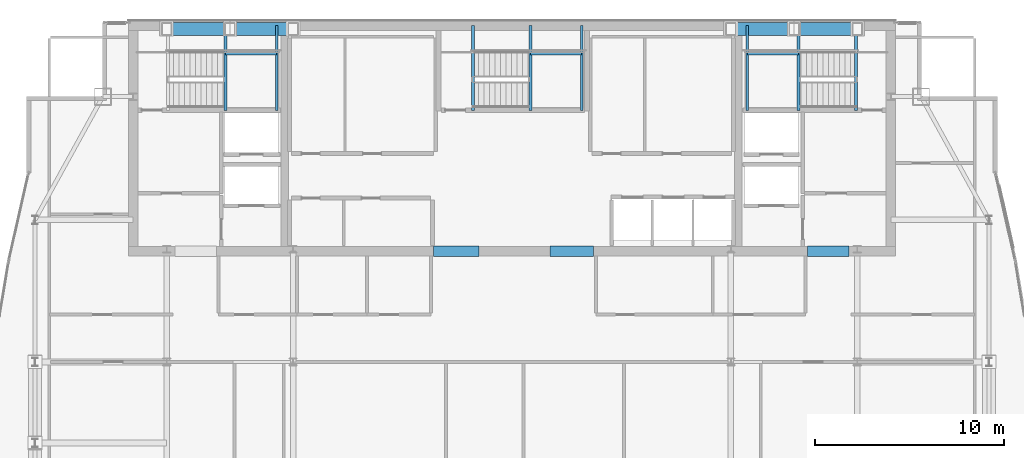
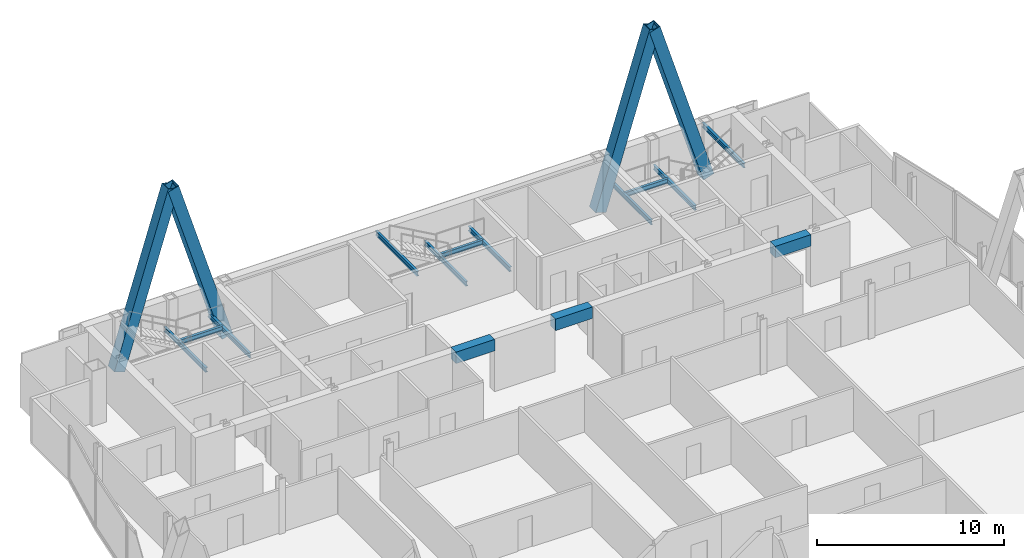
# One storey, part 23 of 31: 14 beams, 4 members.
"""IFC4 building model written with IfcOpenShell, lengths in metres."""

from ifc_helpers import new_model, si_unit, direction, frame, origin, origin_2d, place, context, subcontext, project, spatial, rectangle, hollow_rectangle, i_section, extrude, material, material_profile, profile_set, type_object, element, save


model = new_model("IFC4")

# Units and contexts
model_context = context("Model", 3, precision=1e-05, world=origin(), true_north=direction((0.0, 1.0)))
body_context = subcontext(model_context, "Body", "Model", "MODEL_VIEW")
ifc_project = project(units=[si_unit("LENGTHUNIT", "METRE"), si_unit("AREAUNIT", "SQUARE_METRE"), si_unit("VOLUMEUNIT", "CUBIC_METRE"), si_unit("PLANEANGLEUNIT", "RADIAN"), si_unit("MASSUNIT", "GRAM", prefix="KILO")], contexts=[model_context])

# Site, building, storey
site_placement = place(None, origin())
site = spatial("IfcSite", under=ifc_project, at=site_placement, CompositionType="ELEMENT")
building_placement = place(site_placement, origin())
building = spatial("IfcBuilding", under=site, at=building_placement, Name="Khoronbel Lancet Exchange", CompositionType="ELEMENT")
storey_placement = place(building_placement, frame((0.0, 0.0, 325.39990234375)))
storey = spatial("IfcBuildingStorey", under=building, at=storey_placement, Name="L84", CompositionType="ELEMENT", Elevation=325.39990234375)

# Beams
ifc_material_1 = material(Name="Steel S355", Category="steel")
ifc_material_profile_1 = material_profile(ifc_material_1, i_section(OverallWidth=0.14990234375, OverallDepth=0.300048828125, WebThickness=0.007080078125, FlangeThickness=0.0107421875, at=origin_2d()), Name="IPE 300")
ifc_profile_set_1 = profile_set([ifc_material_profile_1], Name="Steel S355")
beam_type_1 = type_object("IfcBeamType", Name="BM-BJ8", PredefinedType="JOIST", material=ifc_profile_set_1)
for number, where, z_axis, x_axis, name in (
    (1, (21.320068359375, 48.97998046875, 1.4501953125), (0.0, 1.0, 0.0), (-1.0, 0.0, 0.0), "Level L84 stair ST1 landing bearer beam 1"),
    (2, (24.030029296875, 48.97998046875, 1.4501953125), (0.0, 1.0, 0.0), (-1.0, 0.0, 0.0), "Level L84 stair ST1 rear landing bearer beam 1"),
):
    element("IfcBeam", number, at=place(storey_placement, frame(where, z_axis=z_axis, x_axis=x_axis)), inside=storey, type_object=beam_type_1, Name=name, PredefinedType="JOIST", context=body_context, shape_type="SweptSolid", body=[
        extrude(i_section(OverallWidth=0.14990234375, OverallDepth=0.300048828125, WebThickness=0.007080078125, FlangeThickness=0.0107421875, at=origin_2d()), origin(), (0.0, 0.0, 1.0), 4.469970703125),
    ])
beam_1_placement = place(storey_placement, frame((21.320068359375, 51.97998046875, 1.4501953125), z_axis=(1.0, 0.0, 0.0), x_axis=(0.0, 1.0, 0.0)))
element("IfcBeam", 3, at=beam_1_placement, inside=storey, type_object=beam_type_1, Name="Level L84 stair ST1 landing cross trimmer beam 1", PredefinedType="JOIST", context=body_context, shape_type="SweptSolid", body=[
    extrude(i_section(OverallWidth=0.14990234375, OverallDepth=0.300048828125, WebThickness=0.007080078125, FlangeThickness=0.0107421875, at=origin_2d()), origin(), (0.0, 0.0, 1.0), 2.7099609375),
])
for number, where, z_axis, x_axis, name in (
    (4, (51.580078125, 48.97998046875, 1.4501953125), (0.0, 1.0, 0.0), (-1.0, 0.0, 0.0), "Level L84 stair ST2 landing bearer beam 1"),
    (5, (48.8701171875, 48.97998046875, 1.4501953125), (0.0, 1.0, 0.0), (-1.0, 0.0, 0.0), "Level L84 stair ST2 rear landing bearer beam 1"),
):
    element("IfcBeam", number, at=place(storey_placement, frame(where, z_axis=z_axis, x_axis=x_axis)), inside=storey, type_object=beam_type_1, Name=name, PredefinedType="JOIST", context=body_context, shape_type="SweptSolid", body=[
        extrude(i_section(OverallWidth=0.14990234375, OverallDepth=0.300048828125, WebThickness=0.007080078125, FlangeThickness=0.0107421875, at=origin_2d()), origin(), (0.0, 0.0, 1.0), 4.469970703125),
    ])
beam_2_placement = place(storey_placement, frame((48.8701171875, 51.97998046875, 1.4501953125), z_axis=(1.0, 0.0, 0.0), x_axis=(0.0, 1.0, 0.0)))
element("IfcBeam", 6, at=beam_2_placement, inside=storey, type_object=beam_type_1, Name="Level L84 stair ST2 landing cross trimmer beam 1", PredefinedType="JOIST", context=body_context, shape_type="SweptSolid", body=[
    extrude(i_section(OverallWidth=0.14990234375, OverallDepth=0.300048828125, WebThickness=0.007080078125, FlangeThickness=0.0107421875, at=origin_2d()), origin(), (0.0, 0.0, 1.0), 2.7099609375),
])
for number, where, z_axis, x_axis, name in (
    (7, (54.60009765625, 48.97998046875, 3.16015625), (0.0, 1.0, 0.0), (-1.0, 0.0, 0.0), "Level L84 stair ST2 upper-flight arrival trimmer beam"),
    (8, (37.419921875, 48.97998046875, 1.4501953125), (0.0, 1.0, 0.0), (-1.0, 0.0, 0.0), "Level L84 stair ST3 landing bearer beam 1"),
    (9, (40.1298828125, 48.97998046875, 1.4501953125), (0.0, 1.0, 0.0), (-1.0, 0.0, 0.0), "Level L84 stair ST3 rear landing bearer beam 1"),
):
    element("IfcBeam", number, at=place(storey_placement, frame(where, z_axis=z_axis, x_axis=x_axis)), inside=storey, type_object=beam_type_1, Name=name, PredefinedType="JOIST", context=body_context, shape_type="SweptSolid", body=[
        extrude(i_section(OverallWidth=0.14990234375, OverallDepth=0.300048828125, WebThickness=0.007080078125, FlangeThickness=0.0107421875, at=origin_2d()), origin(), (0.0, 0.0, 1.0), 4.469970703125),
    ])
beam_3_placement = place(storey_placement, frame((37.419921875, 51.97998046875, 1.4501953125), z_axis=(1.0, 0.0, 0.0), x_axis=(0.0, 1.0, 0.0)))
element("IfcBeam", 10, at=beam_3_placement, inside=storey, type_object=beam_type_1, Name="Level L84 stair ST3 landing cross trimmer beam 1", PredefinedType="JOIST", context=body_context, shape_type="SweptSolid", body=[
    extrude(i_section(OverallWidth=0.14990234375, OverallDepth=0.300048828125, WebThickness=0.007080078125, FlangeThickness=0.0107421875, at=origin_2d()), origin(), (0.0, 0.0, 1.0), 2.7099609375),
])
beam_4_placement = place(storey_placement, frame((34.39990234375, 48.97998046875, 3.16015625), z_axis=(0.0, 1.0, 0.0), x_axis=(-1.0, 0.0, 0.0)))
element("IfcBeam", 11, at=beam_4_placement, inside=storey, type_object=beam_type_1, Name="Level L84 stair ST3 upper-flight arrival trimmer beam", PredefinedType="JOIST", context=body_context, shape_type="SweptSolid", body=[
    extrude(i_section(OverallWidth=0.14990234375, OverallDepth=0.300048828125, WebThickness=0.007080078125, FlangeThickness=0.0107421875, at=origin_2d()), origin(), (0.0, 0.0, 1.0), 4.469970703125),
])
ifc_material_2 = material(Name="Concrete C60/75", Category="concrete")
ifc_material_profile_2 = material_profile(ifc_material_2, rectangle(XDim=0.550048828125, YDim=0.75, at=origin_2d()), Name="RC 550x750")
ifc_profile_set_2 = profile_set([ifc_material_profile_2], Name="Concrete C60/75")
beam_type_2 = type_object("IfcBeamType", Name="BM-BL2", PredefinedType="LINTEL", material=ifc_profile_set_2)
beam_5_placement = place(storey_placement, frame((32.300048828125, 41.550048828125, 3.065185546875), z_axis=(1.0, 0.0, 0.0), x_axis=(0.0, 1.0, 0.0)))
element("IfcBeam", 12, at=beam_5_placement, inside=storey, type_object=beam_type_2, Name="Level L84 rear core coupling lintel L2", PredefinedType="LINTEL", context=body_context, shape_type="SweptSolid", body=[
    extrude(rectangle(XDim=0.550048828125, YDim=0.75, at=origin_2d()), origin(), (0.0, 0.0, 1.0), 2.39990234375),
])
beam_6_placement = place(storey_placement, frame((38.449951171875, 41.550048828125, 3.065185546875), z_axis=(1.0, 0.0, 0.0), x_axis=(0.0, 1.0, 0.0)))
element("IfcBeam", 13, at=beam_6_placement, inside=storey, type_object=beam_type_2, Name="Level L84 rear core coupling lintel L3", PredefinedType="LINTEL", context=body_context, shape_type="SweptSolid", body=[
    extrude(rectangle(XDim=0.550048828125, YDim=0.75, at=origin_2d()), origin(), (0.0, 0.0, 1.0), 2.300048828125),
])
beam_7_placement = place(storey_placement, frame((52.050048828125, 41.550048828125, 3.065185546875), z_axis=(1.0, 0.0, 0.0), x_axis=(0.0, 1.0, 0.0)))
element("IfcBeam", 14, at=beam_7_placement, inside=storey, type_object=beam_type_2, Name="Level L84 rear core coupling lintel L4", PredefinedType="LINTEL", context=body_context, shape_type="SweptSolid", body=[
    extrude(rectangle(XDim=0.550048828125, YDim=0.75, at=origin_2d()), origin(), (0.0, 0.0, 1.0), 2.199951171875),
])

# Members
ifc_material_3 = material(Name="Steel S460", Category="steel")
ifc_material_profile_3 = material_profile(ifc_material_3, hollow_rectangle(XDim=0.679931640625, YDim=0.679931640625, WallThickness=0.044921875, at=origin_2d()), Name="BOX 680x680x45")
ifc_profile_set_3 = profile_set([ifc_material_profile_3], Name="Steel S460")
member_type = type_object("IfcMemberType", Name="MEM-MB3", PredefinedType="BRACE", material=ifc_profile_set_3)
for number, where, z_axis, x_axis, name in (
    (15, (18.22509765625, 53.280029296875, 0.0), (0.295242108906, 0.0, 0.955422470496), (0.0, 1.0, 0.0), "Perimeter lancet brace tier 29 N-W-L"),
    (16, (24.89990234375, 53.280029296875, 0.0), (-0.295242108906, 0.0, 0.955422470496), (0.0, -1.0, 0.0), "Perimeter lancet brace tier 29 N-W-R"),
    (17, (48.0, 53.280029296875, 0.0), (0.295242108906, 0.0, 0.955422470496), (0.0, 1.0, 0.0), "Perimeter lancet brace tier 29 N-E-L"),
    (18, (54.675048828125, 53.280029296875, 0.0), (-0.295261823895, 0.0, 0.955416378), (0.0, -1.0, 0.0), "Perimeter lancet brace tier 29 N-E-R"),
):
    element("IfcMember", number, at=place(storey_placement, frame(where, z_axis=z_axis, x_axis=x_axis)), inside=storey, type_object=member_type, Name=name, PredefinedType="BRACE", context=body_context, shape_type="SweptSolid", body=[
        extrude(hollow_rectangle(XDim=0.679931640625, YDim=0.679931640625, WallThickness=0.044921875, at=origin_2d()), origin(), (0.0, 0.0, 1.0), 11.303955078125),
    ])

save(model, "model.ifc")
